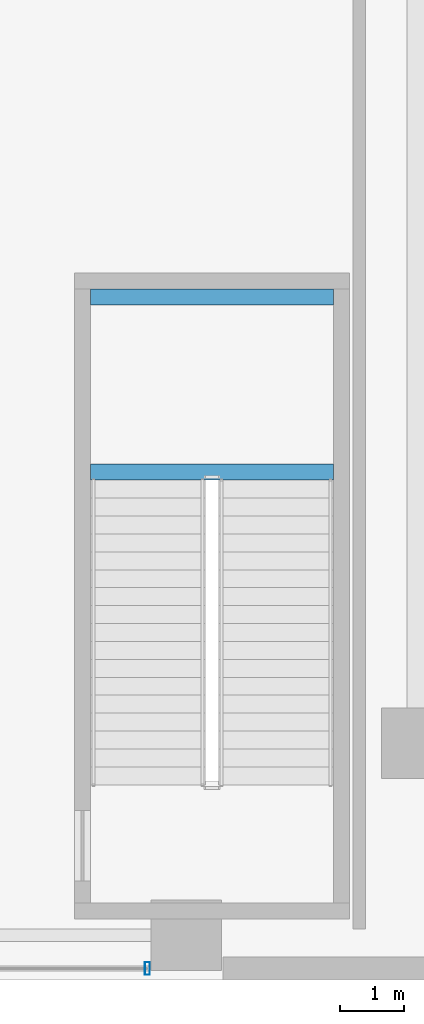
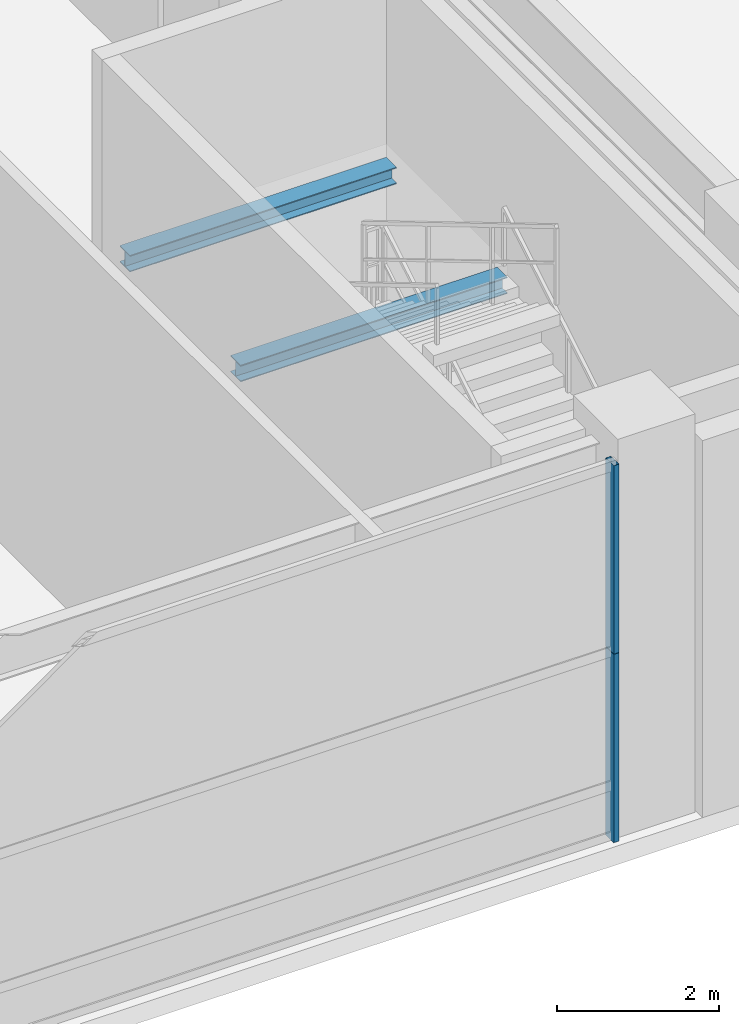
# One storey, part 15 of 39: 2 beams, 2 members, 1 element without a shape of its own.
"""IFC4 building model written with IfcOpenShell, lengths in metres."""

from ifc_helpers import new_model, si_unit, direction, frame, origin, origin_2d, place, context, subcontext, project, spatial, hollow_rectangle, i_section, extrude, source, transform, mapped, material, layer, layer_set, material_profile, profile_set, type_object, element, aggregate, save


model = new_model("IFC4")

# Units and contexts
model_context = context("Model", 3, precision=1e-05, world=origin(), true_north=direction((0.0, 1.0)))
body_context = subcontext(model_context, "Body", "Model", "MODEL_VIEW")
ifc_project = project(units=[si_unit("LENGTHUNIT", "METRE"), si_unit("AREAUNIT", "SQUARE_METRE"), si_unit("VOLUMEUNIT", "CUBIC_METRE"), si_unit("PLANEANGLEUNIT", "RADIAN"), si_unit("MASSUNIT", "GRAM", prefix="KILO"), si_unit("THERMODYNAMICTEMPERATUREUNIT", "KELVIN"), si_unit("POWERUNIT", "WATT")], contexts=[model_context])

# Site, building, storey
site_placement = place(None, origin())
site = spatial("IfcSite", under=ifc_project, at=site_placement, CompositionType="ELEMENT")
building_placement = place(site_placement, origin())
building = spatial("IfcBuilding", under=site, at=building_placement, Name="Yuzanri Waterfront Tower", CompositionType="ELEMENT")
storey_placement = place(building_placement, frame((0.0, 0.0, 19.800048828125)))
storey = spatial("IfcBuildingStorey", under=building, at=storey_placement, Name="L05", CompositionType="ELEMENT", Elevation=19.800048828125)

# Curtain wall, members
ifc_material_1 = material(Name="Anodized Architectural Bronze", Category="metal")
ifc_layer = layer(ifc_material_1, 0.159912109375)
ifc_layer_set = layer_set([ifc_layer], Name="Anodized Architectural Bronze")
curtain_wall_type = type_object("IfcCurtainWallType", Name="Anodized Bronze Podium Waterfront Double-Height Unitized Curtain Wall 8400", PredefinedType="NOTDEFINED", material=ifc_layer_set)
curtain_wall_placement = place(storey_placement, origin())
curtain_wall = element("IfcCurtainWall", 1, at=curtain_wall_placement, inside=storey, type_object=curtain_wall_type, Name="L05 Curtain Wall CW-L05-S2", PredefinedType="NOTDEFINED")
ifc_material_2 = material(Name="Anodized Architectural Bronze", Category="metal")
ifc_material_profile_1 = material_profile(ifc_material_2, hollow_rectangle(XDim=0.074951171875, YDim=0.199951171875, WallThickness=0.00390625, at=origin_2d()), Name="CWM 75x200")
ifc_profile_set_1 = profile_set([ifc_material_profile_1], Name="Anodized Architectural Bronze")
member_type = type_object("IfcMemberType", Name="Anodized Bronze Primary Curtain-Wall Mullion 75x200", PredefinedType="MULLION", material=ifc_profile_set_1)
shared_shape_1 = source(origin(), body_context, "Body", "SweptSolid", [
    extrude(hollow_rectangle(XDim=0.074951171875, YDim=0.199951171875, WallThickness=0.00390625, at=origin_2d()), origin(), (0.0, 0.0, 1.0), 2.837890625),
])
member_1_placement = place(storey_placement, frame((57.889892578125, 1.97998046875, 0.0), z_axis=(0.0, 0.0, 1.0), x_axis=(1.0, 0.0, 0.0)))
member_1 = element("IfcMember", 2, at=member_1_placement, type_object=member_type, Name="CW-L05-S2 Lower Mullion 02", PredefinedType="MULLION", context=body_context, shape_type="MappedRepresentation", body=[
    mapped(shared_shape_1, transform((0.0, 0.0, 0.0), scale=1.0)),
])
member_2_placement = place(storey_placement, frame((57.889892578125, 1.97998046875, 2.842041015625), z_axis=(0.0, 0.0, 1.0), x_axis=(1.0, 0.0, 0.0)))
member_2 = element("IfcMember", 3, at=member_2_placement, type_object=member_type, Name="CW-L05-S2 Upper Mullion 02", PredefinedType="MULLION", context=body_context, shape_type="MappedRepresentation", body=[
    mapped(shared_shape_1, transform((0.0, 0.0, 0.0), scale=1.0)),
])
aggregate(curtain_wall, [member_1, member_2])

# Beams
ifc_material_3 = material(Name="Steel Q355B", Category="steel")
ifc_material_profile_2 = material_profile(ifc_material_3, i_section(OverallWidth=0.25, OverallDepth=0.25, WebThickness=0.009033203125, FlangeThickness=0.013916015625, at=origin_2d()), Name="HW 250x250x9x14")
ifc_profile_set_2 = profile_set([ifc_material_profile_2], Name="Steel Q355B")
beam_type = type_object("IfcBeamType", Name="Stair Landing Support Beam Q355B HW 250x250", PredefinedType="BEAM", material=ifc_profile_set_2)
shared_shape_2 = source(origin(), body_context, "Body", "SweptSolid", [
    extrude(i_section(OverallWidth=0.25, OverallDepth=0.25, WebThickness=0.009033203125, FlangeThickness=0.013916015625, at=origin_2d()), origin(), (0.0, 0.0, 1.0), 3.800048828125),
])
for number, where, z_axis, x_axis, name in (
    (4, (57.0, 9.739990234375, 2.675048828125), (1.0, 0.0, 0.0), (0.0, 1.0, 0.0), "L05 Stair Landing Support Beam PST-02-L05-L1-1"),
    (5, (57.0, 12.469970703125, 2.675048828125), (1.0, 0.0, 0.0), (0.0, 1.0, 0.0), "L05 Stair Landing Support Beam PST-02-L05-L1-2"),
):
    element("IfcBeam", number, at=place(storey_placement, frame(where, z_axis=z_axis, x_axis=x_axis)), inside=storey, type_object=beam_type, Name=name, PredefinedType="BEAM", context=body_context, shape_type="MappedRepresentation", body=[
        mapped(shared_shape_2, transform((0.0, 0.0, 0.0), scale=1.0)),
    ])

save(model, "model.ifc")
